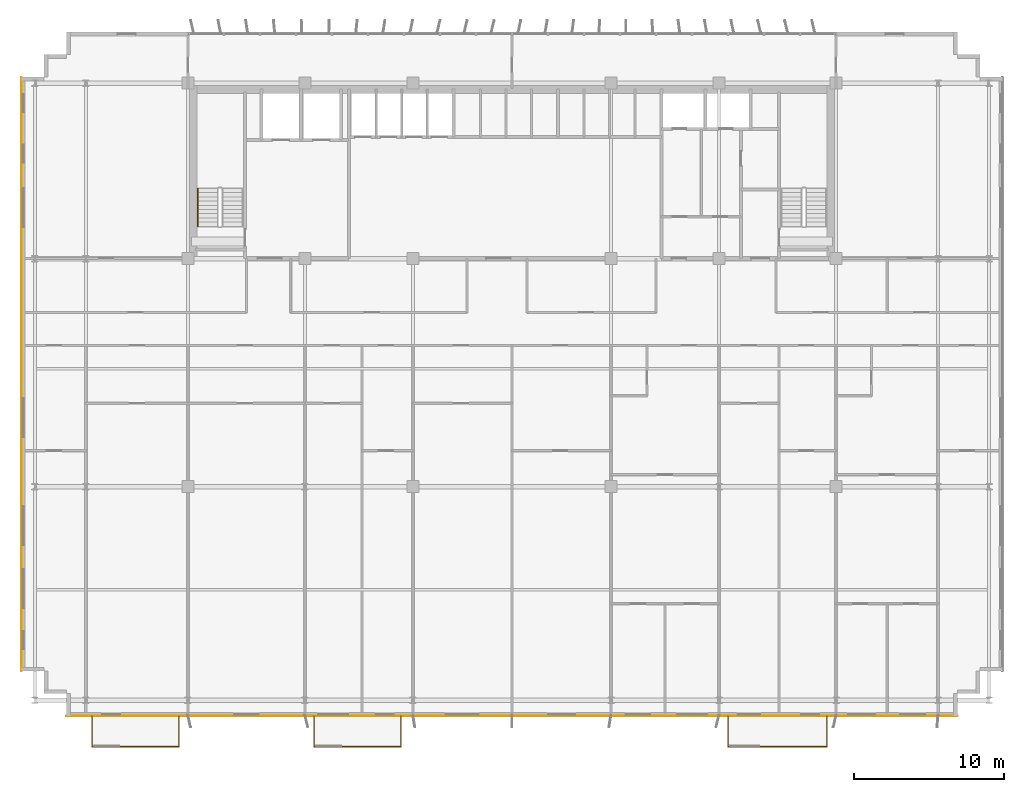
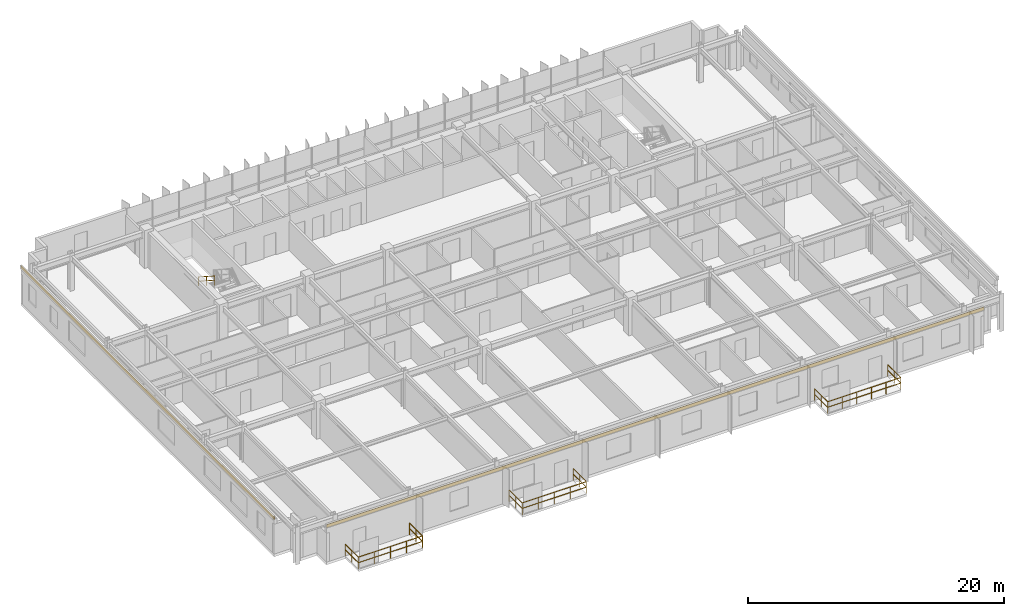
# One storey, part 19 of 21: 10 railings, 2 coverings.
"""IFC4 building model written with IfcOpenShell, lengths in metres."""

from ifc_helpers import new_model, si_unit, direction, frame, origin, origin_2d, place, context, subcontext, project, spatial, rectangle, extrude, source, transform, mapped, material, layer, layer_set, type_object, element, save


model = new_model("IFC4")

# Units and contexts
model_context = context("Model", 3, precision=1e-05, world=origin(), true_north=direction((0.0, 1.0)))
body_context = subcontext(model_context, "Body", "Model", "MODEL_VIEW")
ifc_project = project(units=[si_unit("LENGTHUNIT", "METRE"), si_unit("AREAUNIT", "SQUARE_METRE"), si_unit("VOLUMEUNIT", "CUBIC_METRE"), si_unit("PLANEANGLEUNIT", "RADIAN"), si_unit("MASSUNIT", "GRAM", prefix="KILO")], contexts=[model_context])

# Site, building, storey
site_placement = place(None, origin())
site = spatial("IfcSite", under=ifc_project, at=site_placement, CompositionType="ELEMENT")
building_placement = place(site_placement, origin())
building = spatial("IfcBuilding", under=site, at=building_placement, Name="Trelvane Seafront Commons", CompositionType="ELEMENT")
storey_placement = place(building_placement, frame((0.0, 0.0, 110.5)))
storey = spatial("IfcBuildingStorey", under=building, at=storey_placement, Name="L28", CompositionType="ELEMENT", Elevation=110.5)

# Railings
ifc_material_1 = material(Name="Stainless steel balustrade", Category="steel")
railing_type_1 = type_object("IfcRailingType", Name="ARCH-RAIL-BAL1150", PredefinedType="BALUSTRADE", material=ifc_material_1)
railing_1_placement = place(storey_placement, frame((9.199951171875, 2.89990234375, 0.0)))
element("IfcRailing", 1, at=railing_1_placement, inside=storey, type_object=railing_type_1, Name="RL-L28-BAL0-01", PredefinedType="BALUSTRADE", context=body_context, shape_type="SweptSolid", body=[
    extrude(rectangle(XDim=0.048095703125, YDim=0.048095703125, at=origin_2d()), frame((0.0, 0.0, 1.1259765625), z_axis=(0.0, -1.0, 0.0), x_axis=(1.0, 0.0, 0.0)), (0.0, 0.0, 1.0), 2.039794921875),
    extrude(rectangle(XDim=0.048095703125, YDim=0.048095703125, at=origin_2d()), frame((0.0, 0.0, 0.597900390625), z_axis=(0.0, -1.0, 0.0), x_axis=(1.0, 0.0, 0.0)), (0.0, 0.0, 1.0), 2.039794921875),
    extrude(rectangle(XDim=0.0419921875, YDim=0.0419921875, at=origin_2d()), origin(), (0.0, 0.0, 1.0), 1.1259765625),
    extrude(rectangle(XDim=0.0419921875, YDim=0.0419921875, at=origin_2d()), frame((0.0, -1.02001953125, 0.0)), (0.0, 0.0, 1.0), 1.1259765625),
    extrude(rectangle(XDim=0.0419921875, YDim=0.0419921875, at=origin_2d()), frame((0.0, -2.039794921875, 0.0)), (0.0, 0.0, 1.0), 1.1259765625),
])
railing_2_placement = place(storey_placement, frame((9.199951171875, 0.860107421875, 0.0)))
element("IfcRailing", 2, at=railing_2_placement, inside=storey, type_object=railing_type_1, Name="RL-L28-BAL0-02", PredefinedType="BALUSTRADE", context=body_context, shape_type="SweptSolid", body=[
    extrude(rectangle(XDim=0.048095703125, YDim=0.048095703125, at=origin_2d()), frame((0.0, 0.0, 1.1259765625), z_axis=(1.0, 0.0, 0.0), x_axis=(0.0, 1.0, 0.0)), (0.0, 0.0, 1.0), 5.800048828125),
    extrude(rectangle(XDim=0.048095703125, YDim=0.048095703125, at=origin_2d()), frame((0.0, 0.0, 0.597900390625), z_axis=(1.0, 0.0, 0.0), x_axis=(0.0, 1.0, 0.0)), (0.0, 0.0, 1.0), 5.800048828125),
    extrude(rectangle(XDim=0.0419921875, YDim=0.0419921875, at=origin_2d()), origin(), (0.0, 0.0, 1.0), 1.1259765625),
    extrude(rectangle(XDim=0.0419921875, YDim=0.0419921875, at=origin_2d()), frame((1.449951171875, 0.0, 0.0)), (0.0, 0.0, 1.0), 1.1259765625),
    extrude(rectangle(XDim=0.0419921875, YDim=0.0419921875, at=origin_2d()), frame((2.89990234375, 0.0, 0.0)), (0.0, 0.0, 1.0), 1.1259765625),
    extrude(rectangle(XDim=0.0419921875, YDim=0.0419921875, at=origin_2d()), frame((4.35009765625, 0.0, 0.0)), (0.0, 0.0, 1.0), 1.1259765625),
    extrude(rectangle(XDim=0.0419921875, YDim=0.0419921875, at=origin_2d()), frame((5.800048828125, 0.0, 0.0)), (0.0, 0.0, 1.0), 1.1259765625),
])
railing_3_placement = place(storey_placement, frame((15.0, 0.860107421875, 0.0)))
element("IfcRailing", 3, at=railing_3_placement, inside=storey, type_object=railing_type_1, Name="RL-L28-BAL0-03", PredefinedType="BALUSTRADE", context=body_context, shape_type="SweptSolid", body=[
    extrude(rectangle(XDim=0.048095703125, YDim=0.048095703125, at=origin_2d()), frame((0.0, 0.0, 1.1259765625), z_axis=(0.0, 1.0, 0.0), x_axis=(-1.0, 0.0, 0.0)), (0.0, 0.0, 1.0), 2.039794921875),
    extrude(rectangle(XDim=0.048095703125, YDim=0.048095703125, at=origin_2d()), frame((0.0, 0.0, 0.597900390625), z_axis=(0.0, 1.0, 0.0), x_axis=(-1.0, 0.0, 0.0)), (0.0, 0.0, 1.0), 2.039794921875),
    extrude(rectangle(XDim=0.0419921875, YDim=0.0419921875, at=origin_2d()), origin(), (0.0, 0.0, 1.0), 1.1259765625),
    extrude(rectangle(XDim=0.0419921875, YDim=0.0419921875, at=origin_2d()), frame((0.0, 1.02001953125, 0.0)), (0.0, 0.0, 1.0), 1.1259765625),
    extrude(rectangle(XDim=0.0419921875, YDim=0.0419921875, at=origin_2d()), frame((0.0, 2.039794921875, 0.0)), (0.0, 0.0, 1.0), 1.1259765625),
])
railing_4_placement = place(storey_placement, frame((24.0, 2.89990234375, 0.0)))
element("IfcRailing", 4, at=railing_4_placement, inside=storey, type_object=railing_type_1, Name="RL-L28-BAL1-01", PredefinedType="BALUSTRADE", context=body_context, shape_type="SweptSolid", body=[
    extrude(rectangle(XDim=0.048095703125, YDim=0.048095703125, at=origin_2d()), frame((0.0, 0.0, 1.1259765625), z_axis=(0.0, -1.0, 0.0), x_axis=(1.0, 0.0, 0.0)), (0.0, 0.0, 1.0), 2.039794921875),
    extrude(rectangle(XDim=0.048095703125, YDim=0.048095703125, at=origin_2d()), frame((0.0, 0.0, 0.597900390625), z_axis=(0.0, -1.0, 0.0), x_axis=(1.0, 0.0, 0.0)), (0.0, 0.0, 1.0), 2.039794921875),
    extrude(rectangle(XDim=0.0419921875, YDim=0.0419921875, at=origin_2d()), origin(), (0.0, 0.0, 1.0), 1.1259765625),
    extrude(rectangle(XDim=0.0419921875, YDim=0.0419921875, at=origin_2d()), frame((0.0, -1.02001953125, 0.0)), (0.0, 0.0, 1.0), 1.1259765625),
    extrude(rectangle(XDim=0.0419921875, YDim=0.0419921875, at=origin_2d()), frame((0.0, -2.039794921875, 0.0)), (0.0, 0.0, 1.0), 1.1259765625),
])
railing_5_placement = place(storey_placement, frame((24.0, 0.860107421875, 0.0)))
element("IfcRailing", 5, at=railing_5_placement, inside=storey, type_object=railing_type_1, Name="RL-L28-BAL1-02", PredefinedType="BALUSTRADE", context=body_context, shape_type="SweptSolid", body=[
    extrude(rectangle(XDim=0.048095703125, YDim=0.048095703125, at=origin_2d()), frame((0.0, 0.0, 1.1259765625), z_axis=(1.0, 0.0, 0.0), x_axis=(0.0, 1.0, 0.0)), (0.0, 0.0, 1.0), 5.800048828125),
    extrude(rectangle(XDim=0.048095703125, YDim=0.048095703125, at=origin_2d()), frame((0.0, 0.0, 0.597900390625), z_axis=(1.0, 0.0, 0.0), x_axis=(0.0, 1.0, 0.0)), (0.0, 0.0, 1.0), 5.800048828125),
    extrude(rectangle(XDim=0.0419921875, YDim=0.0419921875, at=origin_2d()), origin(), (0.0, 0.0, 1.0), 1.1259765625),
    extrude(rectangle(XDim=0.0419921875, YDim=0.0419921875, at=origin_2d()), frame((1.449951171875, 0.0, 0.0)), (0.0, 0.0, 1.0), 1.1259765625),
    extrude(rectangle(XDim=0.0419921875, YDim=0.0419921875, at=origin_2d()), frame((2.89990234375, 0.0, 0.0)), (0.0, 0.0, 1.0), 1.1259765625),
    extrude(rectangle(XDim=0.0419921875, YDim=0.0419921875, at=origin_2d()), frame((4.35009765625, 0.0, 0.0)), (0.0, 0.0, 1.0), 1.1259765625),
    extrude(rectangle(XDim=0.0419921875, YDim=0.0419921875, at=origin_2d()), frame((5.800048828125, 0.0, 0.0)), (0.0, 0.0, 1.0), 1.1259765625),
])
railing_6_placement = place(storey_placement, frame((29.800048828125, 0.860107421875, 0.0)))
element("IfcRailing", 6, at=railing_6_placement, inside=storey, type_object=railing_type_1, Name="RL-L28-BAL1-03", PredefinedType="BALUSTRADE", context=body_context, shape_type="SweptSolid", body=[
    extrude(rectangle(XDim=0.048095703125, YDim=0.048095703125, at=origin_2d()), frame((0.0, 0.0, 1.1259765625), z_axis=(0.0, 1.0, 0.0), x_axis=(-1.0, 0.0, 0.0)), (0.0, 0.0, 1.0), 2.039794921875),
    extrude(rectangle(XDim=0.048095703125, YDim=0.048095703125, at=origin_2d()), frame((0.0, 0.0, 0.597900390625), z_axis=(0.0, 1.0, 0.0), x_axis=(-1.0, 0.0, 0.0)), (0.0, 0.0, 1.0), 2.039794921875),
    extrude(rectangle(XDim=0.0419921875, YDim=0.0419921875, at=origin_2d()), origin(), (0.0, 0.0, 1.0), 1.1259765625),
    extrude(rectangle(XDim=0.0419921875, YDim=0.0419921875, at=origin_2d()), frame((0.0, 1.02001953125, 0.0)), (0.0, 0.0, 1.0), 1.1259765625),
    extrude(rectangle(XDim=0.0419921875, YDim=0.0419921875, at=origin_2d()), frame((0.0, 2.039794921875, 0.0)), (0.0, 0.0, 1.0), 1.1259765625),
])
railing_7_placement = place(storey_placement, frame((51.60009765625, 2.89990234375, 0.0)))
element("IfcRailing", 7, at=railing_7_placement, inside=storey, type_object=railing_type_1, Name="RL-L28-BAL2-01", PredefinedType="BALUSTRADE", context=body_context, shape_type="SweptSolid", body=[
    extrude(rectangle(XDim=0.048095703125, YDim=0.048095703125, at=origin_2d()), frame((0.0, 0.0, 1.1259765625), z_axis=(0.0, -1.0, 0.0), x_axis=(1.0, 0.0, 0.0)), (0.0, 0.0, 1.0), 2.039794921875),
    extrude(rectangle(XDim=0.048095703125, YDim=0.048095703125, at=origin_2d()), frame((0.0, 0.0, 0.597900390625), z_axis=(0.0, -1.0, 0.0), x_axis=(1.0, 0.0, 0.0)), (0.0, 0.0, 1.0), 2.039794921875),
    extrude(rectangle(XDim=0.0419921875, YDim=0.0419921875, at=origin_2d()), origin(), (0.0, 0.0, 1.0), 1.1259765625),
    extrude(rectangle(XDim=0.0419921875, YDim=0.0419921875, at=origin_2d()), frame((0.0, -1.02001953125, 0.0)), (0.0, 0.0, 1.0), 1.1259765625),
    extrude(rectangle(XDim=0.0419921875, YDim=0.0419921875, at=origin_2d()), frame((0.0, -2.039794921875, 0.0)), (0.0, 0.0, 1.0), 1.1259765625),
])
railing_8_placement = place(storey_placement, frame((51.60009765625, 0.860107421875, 0.0)))
element("IfcRailing", 8, at=railing_8_placement, inside=storey, type_object=railing_type_1, Name="RL-L28-BAL2-02", PredefinedType="BALUSTRADE", context=body_context, shape_type="SweptSolid", body=[
    extrude(rectangle(XDim=0.048095703125, YDim=0.048095703125, at=origin_2d()), frame((0.0, 0.0, 1.1259765625), z_axis=(1.0, 0.0, 0.0), x_axis=(0.0, 1.0, 0.0)), (0.0, 0.0, 1.0), 6.599853515625),
    extrude(rectangle(XDim=0.048095703125, YDim=0.048095703125, at=origin_2d()), frame((0.0, 0.0, 0.597900390625), z_axis=(1.0, 0.0, 0.0), x_axis=(0.0, 1.0, 0.0)), (0.0, 0.0, 1.0), 6.599853515625),
    extrude(rectangle(XDim=0.0419921875, YDim=0.0419921875, at=origin_2d()), origin(), (0.0, 0.0, 1.0), 1.1259765625),
    extrude(rectangle(XDim=0.0419921875, YDim=0.0419921875, at=origin_2d()), frame((1.320068359375, 0.0, 0.0)), (0.0, 0.0, 1.0), 1.1259765625),
    extrude(rectangle(XDim=0.0419921875, YDim=0.0419921875, at=origin_2d()), frame((2.639892578125, 0.0, 0.0)), (0.0, 0.0, 1.0), 1.1259765625),
    extrude(rectangle(XDim=0.0419921875, YDim=0.0419921875, at=origin_2d()), frame((3.9599609375, 0.0, 0.0)), (0.0, 0.0, 1.0), 1.1259765625),
    extrude(rectangle(XDim=0.0419921875, YDim=0.0419921875, at=origin_2d()), frame((5.27978515625, 0.0, 0.0)), (0.0, 0.0, 1.0), 1.1259765625),
    extrude(rectangle(XDim=0.0419921875, YDim=0.0419921875, at=origin_2d()), frame((6.599853515625, 0.0, 0.0)), (0.0, 0.0, 1.0), 1.1259765625),
])
railing_9_placement = place(storey_placement, frame((58.199951171875, 0.860107421875, 0.0)))
element("IfcRailing", 9, at=railing_9_placement, inside=storey, type_object=railing_type_1, Name="RL-L28-BAL2-03", PredefinedType="BALUSTRADE", context=body_context, shape_type="SweptSolid", body=[
    extrude(rectangle(XDim=0.048095703125, YDim=0.048095703125, at=origin_2d()), frame((0.0, 0.0, 1.1259765625), z_axis=(0.0, 1.0, 0.0), x_axis=(-1.0, 0.0, 0.0)), (0.0, 0.0, 1.0), 2.039794921875),
    extrude(rectangle(XDim=0.048095703125, YDim=0.048095703125, at=origin_2d()), frame((0.0, 0.0, 0.597900390625), z_axis=(0.0, 1.0, 0.0), x_axis=(-1.0, 0.0, 0.0)), (0.0, 0.0, 1.0), 2.039794921875),
    extrude(rectangle(XDim=0.0419921875, YDim=0.0419921875, at=origin_2d()), origin(), (0.0, 0.0, 1.0), 1.1259765625),
    extrude(rectangle(XDim=0.0419921875, YDim=0.0419921875, at=origin_2d()), frame((0.0, 1.02001953125, 0.0)), (0.0, 0.0, 1.0), 1.1259765625),
    extrude(rectangle(XDim=0.0419921875, YDim=0.0419921875, at=origin_2d()), frame((0.0, 2.039794921875, 0.0)), (0.0, 0.0, 1.0), 1.1259765625),
])
railing_type_2 = type_object("IfcRailingType", Name="ARCH-SRL-HAND", PredefinedType="HANDRAIL", material=ifc_material_1)
railing_10_placement = place(storey_placement, frame((16.25, 38.070068359375, 1.97998046875)))
element("IfcRailing", 10, at=railing_10_placement, inside=storey, type_object=railing_type_2, Name="L28 ST-1 stair handrail 2", PredefinedType="HANDRAIL", context=body_context, shape_type="SweptSolid", body=[
    extrude(rectangle(XDim=0.048095703125, YDim=0.048095703125, at=origin_2d()), frame((0.0, 0.0, 0.8759765625), z_axis=(0.0, -0.841162588446, 0.540782303519), x_axis=(1.0, 0.0, 0.0)), (0.0, 0.0, 1.0), 2.995849609375),
    extrude(rectangle(XDim=0.048095703125, YDim=0.048095703125, at=origin_2d()), frame((0.0, 0.0, 0.468017578125), z_axis=(0.0, -0.841162588446, 0.540782303519), x_axis=(1.0, 0.0, 0.0)), (0.0, 0.0, 1.0), 2.995849609375),
    extrude(rectangle(XDim=0.0419921875, YDim=0.0419921875, at=origin_2d()), origin(), (0.0, 0.0, 1.0), 0.8759765625),
    extrude(rectangle(XDim=0.0419921875, YDim=0.0419921875, at=origin_2d()), frame((0.0, -1.260009765625, 0.81005859375)), (0.0, 0.0, 1.0), 0.8759765625),
    extrude(rectangle(XDim=0.0419921875, YDim=0.0419921875, at=origin_2d()), frame((0.0, -2.52001953125, 1.6201171875)), (0.0, 0.0, 1.0), 0.8759765625),
])

# Coverings
ifc_material_2 = material(Name="Anodised pale-silver aluminium", Category="aluminium")
ifc_layer = layer(ifc_material_2, 0.034912109375, Name="ARCH-COV-CLAD35")
ifc_layer_set = layer_set([ifc_layer], Name="Anodised pale-silver aluminium")
covering_type = type_object("IfcCoveringType", Name="ARCH-COV-CLAD35", PredefinedType="CLADDING", material=ifc_layer_set)
shared_shape_1 = source(origin(), body_context, "Body", "SweptSolid", [
    extrude(rectangle(XDim=39.60009765625, YDim=0.034912109375, at=origin_2d()), origin(), (0.0, 0.0, 1.0), 0.300048828125),
])
covering_1_placement = place(storey_placement, frame((4.5, 25.699951171875, 3.2998046875), z_axis=(0.0, 0.0, 1.0), x_axis=(0.0, 1.0, 0.0)))
element("IfcCovering", 11, at=covering_1_placement, inside=storey, type_object=covering_type, Name="CLD-L28-00115", PredefinedType="CLADDING", context=body_context, shape_type="MappedRepresentation", body=[
    mapped(shared_shape_1, transform((0.0, 0.0, 0.0), x_axis=(1.0, 0.0, 0.0), y_axis=(0.0, 1.0, 0.0), z_axis=(0.0, 0.0, 1.0), scale=1.0)),
])
shared_shape_2 = source(origin(), body_context, "Body", "SweptSolid", [
    extrude(rectangle(XDim=59.39990234375, YDim=0.034912109375, at=origin_2d()), origin(), (0.0, 0.0, 1.0), 0.300048828125),
])
covering_2_placement = place(storey_placement, frame((37.199951171875, 2.89990234375, 3.2998046875), z_axis=(0.0, 0.0, 1.0), x_axis=(-1.0, 0.0, 0.0)))
element("IfcCovering", 12, at=covering_2_placement, inside=storey, type_object=covering_type, Name="CLD-L28-00117", PredefinedType="CLADDING", context=body_context, shape_type="MappedRepresentation", body=[
    mapped(shared_shape_2, transform((0.0, 0.0, 0.0), x_axis=(1.0, 0.0, 0.0), y_axis=(0.0, 1.0, 0.0), z_axis=(0.0, 0.0, 1.0), scale=1.0)),
])

save(model, "model.ifc")
